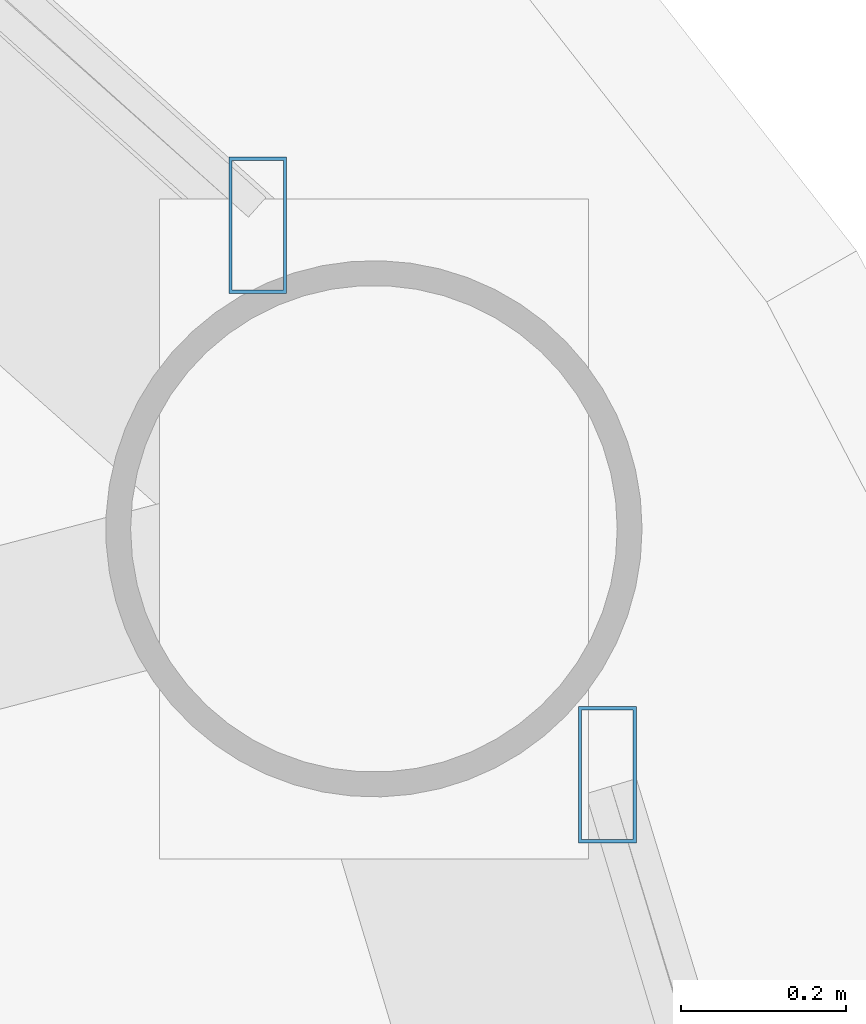
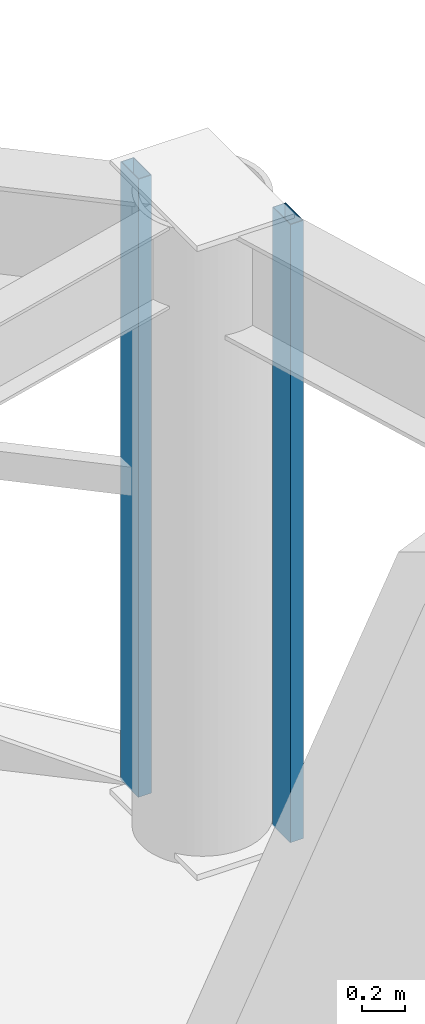
# One storey, part 16 of 30: 2 members, 2 elements without a shape of their own.
"""IFC4 building model written with IfcOpenShell, lengths in metres."""

from ifc_helpers import new_model, si_unit, direction, frame, origin, origin_2d, place, context, subcontext, project, spatial, hollow_rectangle, extrude, material, layer, layer_set, material_profile, profile_set, type_object, element, aggregate, save


model = new_model("IFC4")

# Units and contexts
model_context = context("Model", 3, precision=1e-05, world=origin(), true_north=direction((0.0, 1.0)))
body_context = subcontext(model_context, "Body", "Model", "MODEL_VIEW")
ifc_project = project(units=[si_unit("LENGTHUNIT", "METRE"), si_unit("AREAUNIT", "SQUARE_METRE"), si_unit("VOLUMEUNIT", "CUBIC_METRE"), si_unit("PLANEANGLEUNIT", "RADIAN"), si_unit("MASSUNIT", "GRAM", prefix="KILO")], contexts=[model_context])

# Site, building, storey
site_placement = place(None, origin())
site = spatial("IfcSite", under=ifc_project, at=site_placement, CompositionType="ELEMENT")
building_placement = place(site_placement, origin())
building = spatial("IfcBuilding", under=site, at=building_placement, Name="Vantalir Tower", CompositionType="ELEMENT")
storey_placement = place(building_placement, frame((0.0, 0.0, 193.64990234375)))
storey = spatial("IfcBuildingStorey", under=building, at=storey_placement, Name="L48", CompositionType="ELEMENT", Elevation=193.64990234375)

# Curtain wall, member
ifc_material_1 = material(Name="Champagne-silver PVDF aluminium and double-silver Low-E glass", Category="aluminium")
ifc_layer = layer(ifc_material_1, 0.2099609375)
ifc_layer_set = layer_set([ifc_layer], Name="Champagne-silver PVDF aluminium and double-silver Low-E glass")
curtain_wall_type = type_object("IfcCurtainWallType", Name="CW-DIAMOND-Z3", PredefinedType="USERDEFINED", material=ifc_layer_set)
curtain_wall_1_placement = place(storey_placement, origin())
curtain_wall_1 = element("IfcCurtainWall", 1, at=curtain_wall_1_placement, inside=storey, type_object=curtain_wall_type, Name="L48 Quilted Pyramid-Diamond Curtain Wall S01", ObjectType="UNITISED CURTAIN WALL", PredefinedType="USERDEFINED")
ifc_material_2 = material(Name="Champagne-silver PVDF aluminium 6063-T6", Category="aluminium")
ifc_material_profile = material_profile(ifc_material_2, hollow_rectangle(XDim=0.070068359375, YDim=0.1650390625, WallThickness=0.00390625, at=origin_2d()), Name="Champagne-silver PVDF aluminium 6063-T6")
ifc_profile_set = profile_set([ifc_material_profile], Name="Champagne-silver PVDF aluminium 6063-T6")
member_type = type_object("IfcMemberType", Name="CWM-165x70", PredefinedType="MULLION", material=ifc_profile_set)
member_1_placement = place(storey_placement, frame((51.4208984375, 34.7958984375, 0.045166015625), z_axis=(0.0, 0.0, 1.0), x_axis=(1.0, 0.0, 0.0)))
member_1 = element("IfcMember", 2, at=member_1_placement, type_object=member_type, Name="CW-L48-S01 Mullion 2", PredefinedType="MULLION", context=body_context, shape_type="SweptSolid", body=[
    extrude(hollow_rectangle(XDim=0.070068359375, YDim=0.1650390625, WallThickness=0.00390625, at=origin_2d()), origin(), (0.0, 0.0, 1.0), 3.47998046875),
])
aggregate(curtain_wall_1, [member_1])

curtain_wall_2_placement = place(storey_placement, origin())
curtain_wall_2 = element("IfcCurtainWall", 3, at=curtain_wall_2_placement, inside=storey, type_object=curtain_wall_type, Name="L48 Quilted Pyramid-Diamond Curtain Wall S02", ObjectType="UNITISED CURTAIN WALL", PredefinedType="USERDEFINED")
member_2_placement = place(storey_placement, frame((50.9970703125, 35.4619140625, 0.045166015625), z_axis=(0.0, 0.0, 1.0), x_axis=(1.0, 0.0, 0.0)))
member_2 = element("IfcMember", 4, at=member_2_placement, type_object=member_type, Name="CW-L48-S02 Mullion 1", PredefinedType="MULLION", context=body_context, shape_type="SweptSolid", body=[
    extrude(hollow_rectangle(XDim=0.070068359375, YDim=0.1650390625, WallThickness=0.00390625, at=origin_2d()), origin(), (0.0, 0.0, 1.0), 3.47998046875),
])
aggregate(curtain_wall_2, [member_2])

save(model, "model.ifc")
